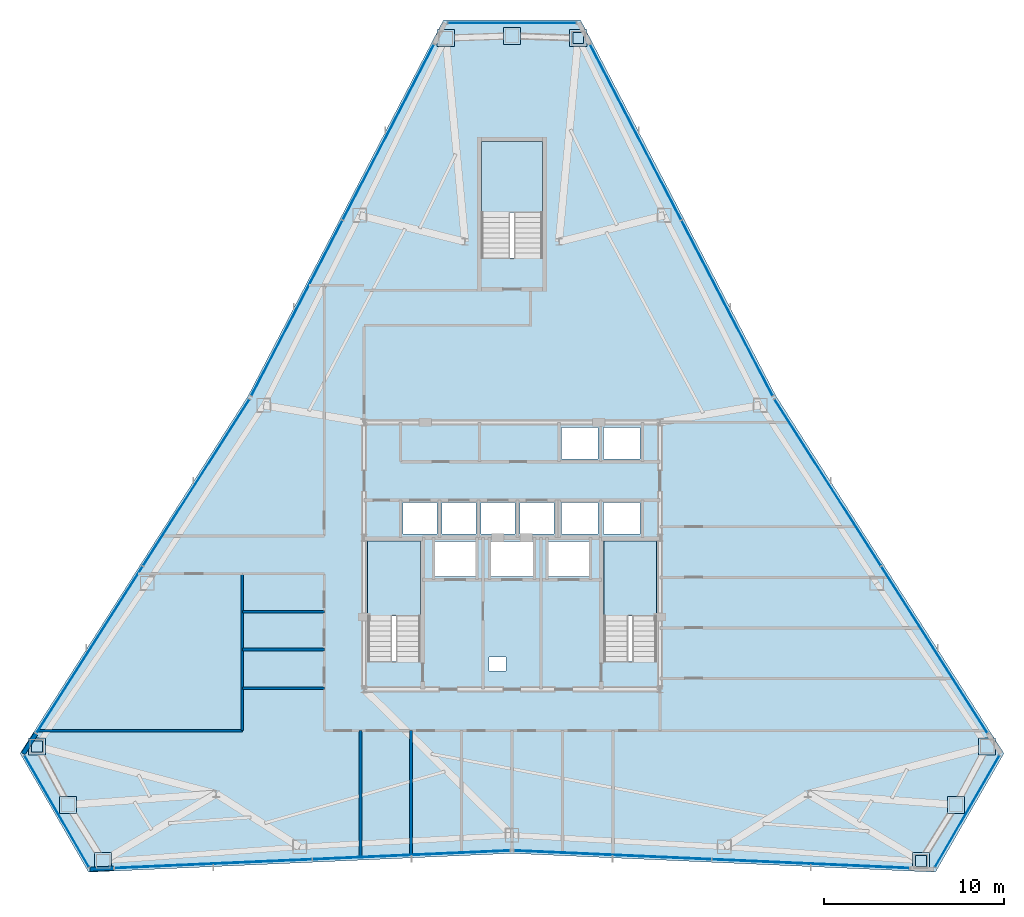
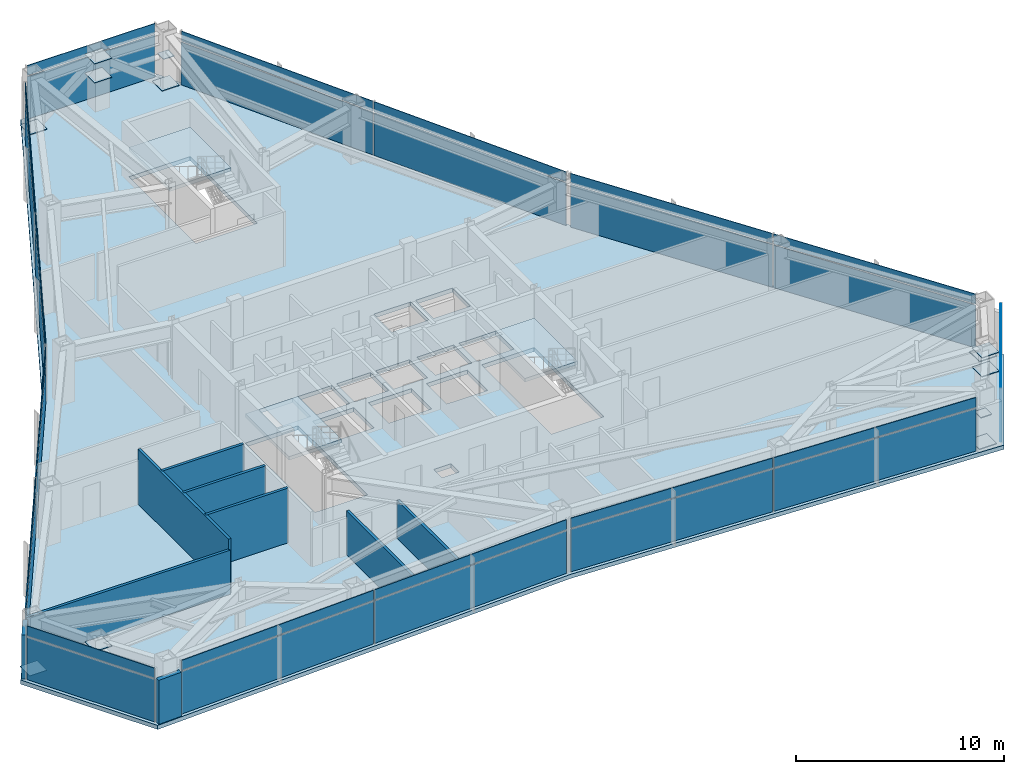
# One storey, part 9 of 13: 45 plates, 9 walls, 4 slabs, 12 elements without a shape of their own.
"""IFC4 building model written with IfcOpenShell, lengths in metres."""

from ifc_helpers import new_model, si_unit, direction, frame, frame_2d, origin, origin_2d, place, context, subcontext, project, spatial, polyline, rectangle, outline, extrude, source, transform, mapped, material, layer, layer_set, type_object, type_shapes, element, aggregate, save


model = new_model("IFC4")

# Units and contexts
model_context = context("Model", 3, precision=1e-05, world=origin(), true_north=direction((0.0, 1.0)))
body_context = subcontext(model_context, "Body", "Model", "MODEL_VIEW")
ifc_project = project(units=[si_unit("LENGTHUNIT", "METRE"), si_unit("AREAUNIT", "SQUARE_METRE"), si_unit("VOLUMEUNIT", "CUBIC_METRE"), si_unit("PLANEANGLEUNIT", "RADIAN"), si_unit("MASSUNIT", "GRAM", prefix="KILO")], contexts=[model_context])

# Site, building, storey
site_placement = place(None, origin())
site = spatial("IfcSite", under=ifc_project, at=site_placement, CompositionType="ELEMENT")
building_placement = place(site_placement, origin())
building = spatial("IfcBuilding", under=site, at=building_placement, Name="Varakhsha Concourse Tower", CompositionType="ELEMENT")
storey_placement = place(building_placement, frame((0.0, 0.0, 189.60009765625)))
storey = spatial("IfcBuildingStorey", under=building, at=storey_placement, Name="L54", CompositionType="ELEMENT", Elevation=189.60009765625)

# Slab
ifc_material_1 = material(Name="Concrete fc 45 MPa", Category="concrete")
ifc_layer_1 = layer(ifc_material_1, 0.239990234375, Name="SL-FLR-240")
ifc_layer_set_1 = layer_set([ifc_layer_1], Name="Concrete fc 45 MPa")
slab_type_1 = type_object("IfcSlabType", Name="SL-FLR-240", PredefinedType="FLOOR", material=ifc_layer_set_1)
slab_1_placement = place(storey_placement, frame((0.0, 0.0, -0.239990234375)))
element("IfcSlab", 1, at=slab_1_placement, inside=storey, type_object=slab_type_1, Name="L54 Composite Structural Slab", PredefinedType="FLOOR", context=body_context, shape_type="SweptSolid", body=[
    extrude(outline(polyline([(43.800048828125, 53.498291015625), (36.199951171875, 53.498291015625), (25.364501953125, 32.649658203125), (12.72705078125, 12.841796875), (16.527099609375, 6.260009765625), (40.0, 7.300537109375), (63.472900390625, 6.260009765625), (67.27294921875, 12.841796875), (54.635498046875, 32.649658203125), (43.800048828125, 53.498291015625)]), holes=[polyline([(34.919921875, 17.93994140625), (34.919921875, 24.6298828125), (32.0, 24.6298828125), (32.0, 17.93994140625), (34.919921875, 17.93994140625)]), polyline([(48.02001953125, 17.93994140625), (48.02001953125, 24.6298828125), (45.10009765625, 24.6298828125), (45.10009765625, 17.93994140625), (48.02001953125, 17.93994140625)]), polyline([(41.699951171875, 40.300048828125), (41.699951171875, 46.75), (38.300048828125, 46.75), (38.300048828125, 40.300048828125), (41.699951171875, 40.300048828125)]), polyline([(33.9599609375, 25.0), (35.840087890625, 25.0), (35.840087890625, 26.739990234375), (33.9599609375, 26.739990234375), (33.9599609375, 25.0)]), polyline([(36.1201171875, 25.0), (38.0, 25.0), (38.0, 26.739990234375), (36.1201171875, 26.739990234375), (36.1201171875, 25.0)]), polyline([(38.280029296875, 25.0), (40.159912109375, 25.0), (40.159912109375, 26.739990234375), (38.280029296875, 26.739990234375), (38.280029296875, 25.0)]), polyline([(40.43994140625, 25.0), (42.320068359375, 25.0), (42.320068359375, 26.739990234375), (40.43994140625, 26.739990234375), (40.43994140625, 25.0)]), polyline([(42.739990234375, 29.159912109375), (44.780029296875, 29.159912109375), (44.780029296875, 30.89990234375), (42.739990234375, 30.89990234375), (42.739990234375, 29.159912109375)]), polyline([(45.06005859375, 29.159912109375), (47.10009765625, 29.159912109375), (47.10009765625, 30.89990234375), (45.06005859375, 30.89990234375), (45.06005859375, 29.159912109375)]), polyline([(42.739990234375, 25.0), (44.780029296875, 25.0), (44.780029296875, 26.739990234375), (42.739990234375, 26.739990234375), (42.739990234375, 25.0)]), polyline([(45.06005859375, 25.0), (47.10009765625, 25.0), (47.10009765625, 26.739990234375), (45.06005859375, 26.739990234375), (45.06005859375, 25.0)]), polyline([(35.7099609375, 22.639892578125), (37.989990234375, 22.639892578125), (37.989990234375, 24.60009765625), (35.7099609375, 24.60009765625), (35.7099609375, 22.639892578125)]), polyline([(42.010009765625, 22.639892578125), (44.2900390625, 22.639892578125), (44.2900390625, 24.60009765625), (42.010009765625, 24.60009765625), (42.010009765625, 22.639892578125)]), polyline([(38.81005859375, 22.639892578125), (41.18994140625, 22.639892578125), (41.18994140625, 24.60009765625), (38.81005859375, 24.60009765625), (38.81005859375, 22.639892578125)]), polyline([(38.719970703125, 17.39990234375), (39.679931640625, 17.39990234375), (39.679931640625, 18.199951171875), (38.719970703125, 18.199951171875), (38.719970703125, 17.39990234375)])]), origin(), (0.0, 0.0, 1.0), 0.239990234375),
])

# Stair, slab
stair_type_1 = type_object("IfcStairType", Name="ST-DOGLEG-1360", PredefinedType="HALF_TURN_STAIR", material=ifc_material_1)
stair_1_placement = place(storey_placement, origin())
stair_1 = element("IfcStair", 2, at=stair_1_placement, inside=storey, type_object=stair_type_1, Name="L54 Protected Exit Stair ST1", PredefinedType="HALF_TURN_STAIR")
ifc_layer_2 = layer(ifc_material_1, 0.199951171875, Name="SL-LAND-200")
ifc_layer_set_2 = layer_set([ifc_layer_2], Name="Concrete fc 45 MPa")
slab_type_2 = type_object("IfcSlabType", Name="SL-LAND-200", PredefinedType="LANDING", material=ifc_layer_set_2)
slab_2_placement = place(storey_placement, frame((0.0, 0.0, 1.52490234375)))
slab_2 = element("IfcSlab", 3, at=slab_2_placement, type_object=slab_type_2, Name="ST1 landing 1", PredefinedType="LANDING", context=body_context, shape_type="SweptSolid", body=[
    extrude(outline(polyline([(34.919921875, 20.4599609375), (34.919921875, 24.6298828125), (32.0, 24.6298828125), (32.0, 20.4599609375), (34.919921875, 20.4599609375)])), origin(), (0.0, 0.0, 1.0), 0.199951171875),
])
aggregate(stair_1, [slab_2])

stair_2_placement = place(storey_placement, origin())
stair_2 = element("IfcStair", 4, at=stair_2_placement, inside=storey, type_object=stair_type_1, Name="L54 Protected Exit Stair ST2", PredefinedType="HALF_TURN_STAIR")
slab_3_placement = place(storey_placement, frame((0.0, 0.0, 1.52490234375)))
slab_3 = element("IfcSlab", 5, at=slab_3_placement, type_object=slab_type_2, Name="ST2 landing 1", PredefinedType="LANDING", context=body_context, shape_type="SweptSolid", body=[
    extrude(outline(polyline([(48.02001953125, 20.4599609375), (48.02001953125, 24.6298828125), (45.10009765625, 24.6298828125), (45.10009765625, 20.4599609375), (48.02001953125, 20.4599609375)])), origin(), (0.0, 0.0, 1.0), 0.199951171875),
])
aggregate(stair_2, [slab_3])

stair_type_2 = type_object("IfcStairType", Name="ST-DOGLEG-1600", PredefinedType="HALF_TURN_STAIR", material=ifc_material_1)
stair_3_placement = place(storey_placement, origin())
stair_3 = element("IfcStair", 6, at=stair_3_placement, inside=storey, type_object=stair_type_2, Name="L54 Protected Exit Stair ST5", PredefinedType="HALF_TURN_STAIR")
slab_4_placement = place(storey_placement, frame((0.0, 0.0, 1.52490234375)))
slab_4 = element("IfcSlab", 7, at=slab_4_placement, type_object=slab_type_2, Name="ST5 landing 1", PredefinedType="LANDING", context=body_context, shape_type="SweptSolid", body=[
    extrude(outline(polyline([(41.699951171875, 42.820068359375), (41.699951171875, 46.75), (38.300048828125, 46.75), (38.300048828125, 42.820068359375), (41.699951171875, 42.820068359375)])), origin(), (0.0, 0.0, 1.0), 0.199951171875),
])
aggregate(stair_3, [slab_4])

# Plates
ifc_material_2 = material(Name="Structural Steel ASTM A572 Grade 50", Category="steel")
ifc_layer_3 = layer(ifc_material_2, 0.030029296875, Name="PL-ENDCAP-950")
ifc_layer_set_3 = layer_set([ifc_layer_3], Name="Structural Steel ASTM A572 Grade 50")
plate_type_1 = type_object("IfcPlateType", Name="PL-ENDCAP-950", PredefinedType="USERDEFINED", material=ifc_layer_set_3)
shared_shape_1 = source(origin(), body_context, "Body", "SweptSolid", [
    extrude(rectangle(XDim=0.949951171875, YDim=0.949951171875, at=origin_2d()), origin(), (0.0, 0.0, 1.0), 0.030029296875),
])
type_shapes(plate_type_1, [shared_shape_1])
for number, where, z_axis, x_axis, name in (
    (8, (43.669921875, 52.49462890625, 0.10498046875), (0.0, 0.0, 1.0), (1.0, 0.0, 0.0), "Hollow Section End Cap GP-NODE-L54-0553"),
    (9, (40.0, 52.6181640625, 2.89501953125), (0.0, 0.0, 1.0), (1.0, 0.0, 0.0), "Hollow Section End Cap GP-NODE-L54-0554"),
    (10, (36.330078125, 52.49462890625, 0.10498046875), (0.0, 0.0, 1.0), (1.0, 0.0, 0.0), "Hollow Section End Cap GP-NODE-L54-0555"),
    (11, (13.6611328125, 13.23095703125, 0.10498046875), (0.0, 0.0, 1.0), (1.0, 0.0, 0.0), "Hollow Section End Cap GP-NODE-L54-0556"),
    (12, (15.38916015625, 9.990966796875, 2.89501953125), (0.0, 0.0, 1.0), (1.0, 0.0, 0.0), "Hollow Section End Cap GP-NODE-L54-0557"),
    (13, (17.3310546875, 6.87451171875, 0.10498046875), (0.0, 0.0, 1.0), (1.0, 0.0, 0.0), "Hollow Section End Cap GP-NODE-L54-0558"),
    (14, (62.6689453125, 6.87451171875, 0.10498046875), (0.0, 0.0, 1.0), (1.0, 0.0, 0.0), "Hollow Section End Cap GP-NODE-L54-0559"),
    (15, (64.61083984375, 9.990966796875, 2.89501953125), (0.0, 0.0, 1.0), (1.0, 0.0, 0.0), "Hollow Section End Cap GP-NODE-L54-0560"),
    (16, (66.3388671875, 13.23095703125, 0.10498046875), (0.0, 0.0, 1.0), (1.0, 0.0, 0.0), "Hollow Section End Cap GP-NODE-L54-0561"),
    (17, (40.0, 52.6181640625, 1.78466796875), (0.0, 0.0, 1.0), (1.0, 0.0, 0.0), "Hollow Section End Cap GP-NODE-L54-0562"),
    (18, (15.38916015625, 9.990966796875, 1.78466796875), (0.0, 0.0, 1.0), (1.0, 0.0, 0.0), "Hollow Section End Cap GP-NODE-L54-0563"),
    (19, (64.61083984375, 9.990966796875, 1.78466796875), (0.0, 0.0, 1.0), (1.0, 0.0, 0.0), "Hollow Section End Cap GP-NODE-L54-0564"),
):
    element("IfcPlate", number, at=place(storey_placement, frame(where, z_axis=z_axis, x_axis=x_axis)), inside=storey, type_object=plate_type_1, Name=name, ObjectType="END PLATE", PredefinedType="USERDEFINED", context=body_context, shape_type="MappedRepresentation", body=[
        mapped(shared_shape_1, transform((0.0, 0.0, 0.0), scale=1.0)),
    ])
ifc_layer_4 = layer(ifc_material_2, 0.030029296875, Name="PL-BASE-600")
ifc_layer_set_4 = layer_set([ifc_layer_4], Name="Structural Steel ASTM A572 Grade 50")
plate_type_2 = type_object("IfcPlateType", Name="PL-BASE-600", PredefinedType="SHEET", material=ifc_layer_set_4)
shared_shape_2 = source(origin(), body_context, "Body", "SweptSolid", [
    extrude(rectangle(XDim=0.60009765625, YDim=0.60009765625, at=origin_2d()), origin(), (0.0, 0.0, 1.0), 0.030029296875),
])
type_shapes(plate_type_2, [shared_shape_2])
for number, where, z_axis, x_axis, name in (
    (20, (43.669921875, 52.49462890625, 1.78466796875), (0.0, 0.0, 1.0), (1.0, 0.0, 0.0), "Hollow Section End Cap BP-WTIE-L54-1"),
    (21, (13.6611328125, 13.23095703125, 1.78466796875), (0.0, 0.0, 1.0), (1.0, 0.0, 0.0), "Hollow Section End Cap BP-WTIE-L54-2"),
    (22, (62.6689453125, 6.87451171875, 1.78466796875), (0.0, 0.0, 1.0), (1.0, 0.0, 0.0), "Hollow Section End Cap BP-WTIE-L54-3"),
):
    element("IfcPlate", number, at=place(storey_placement, frame(where, z_axis=z_axis, x_axis=x_axis)), inside=storey, type_object=plate_type_2, Name=name, PredefinedType="SHEET", context=body_context, shape_type="MappedRepresentation", body=[
        mapped(shared_shape_2, transform((0.0, 0.0, 0.0), scale=1.0)),
    ])

# Curtain wall, plates
ifc_material_3 = material(Name="Anodised Bronze Architectural Aluminium AA 6063-T6", Category="aluminium")
ifc_layer_5 = layer(ifc_material_3, 0.2099609375, Name="CW-SYS-04")
ifc_layer_set_5 = layer_set([ifc_layer_5], Name="Anodised Bronze Architectural Aluminium AA 6063-T6")
curtain_wall_type = type_object("IfcCurtainWallType", Name="CW-SYS-04", PredefinedType="NOTDEFINED", material=ifc_layer_set_5)
curtain_wall_1_placement = place(storey_placement, origin())
curtain_wall_1 = element("IfcCurtainWall", 23, at=curtain_wall_1_placement, inside=storey, type_object=curtain_wall_type, Name="L54 Crystal Curtain Wall F2", PredefinedType="NOTDEFINED")
ifc_material_4 = material(Name="Low-E Triple Insulating Glass IGU 44 mm", Category="glass")
ifc_layer_6 = layer(ifc_material_4, 0.0439453125, Name="CWP-IGU-44")
ifc_layer_set_6 = layer_set([ifc_layer_6], Name="Low-E Triple Insulating Glass IGU 44 mm")
plate_type_3 = type_object("IfcPlateType", Name="CWP-IGU-44", PredefinedType="CURTAIN_PANEL", material=ifc_layer_set_6)
shared_shape_3 = source(origin(), body_context, "Body", "SweptSolid", [
    extrude(rectangle(XDim=10.928955078125, YDim=0.0439453125, at=origin_2d()), origin(), (0.0, 0.0, 1.0), 2.49609375),
])
plate_1_placement = place(storey_placement, frame((28.079345703125, 37.5263671875, 0.03173828125), z_axis=(0.0, 0.0, 1.0), x_axis=(0.461155577875, 0.887319295967, 0.0)))
plate_1 = element("IfcPlate", 24, at=plate_1_placement, type_object=plate_type_3, Name="CW-L54-F2 Panel 00-00", PredefinedType="CURTAIN_PANEL", context=body_context, shape_type="MappedRepresentation", body=[
    mapped(shared_shape_3, transform((0.0, 0.0, 0.0), scale=1.0)),
])
plate_2_placement = place(storey_placement, frame((33.151123046875, 47.284912109375, 0.03173828125), z_axis=(0.0, 0.0, 1.0), x_axis=(0.461155577875, 0.887319295967, 0.0)))
plate_2 = element("IfcPlate", 25, at=plate_2_placement, type_object=plate_type_3, Name="CW-L54-F2 Panel 01-00", PredefinedType="CURTAIN_PANEL", context=body_context, shape_type="MappedRepresentation", body=[
    mapped(shared_shape_3, transform((0.0, 0.0, 0.0), scale=1.0)),
])

# Curtain wall, plate
curtain_wall_2_placement = place(storey_placement, origin())
curtain_wall_2 = element("IfcCurtainWall", 26, at=curtain_wall_2_placement, inside=storey, type_object=curtain_wall_type, Name="L54 Crystal Curtain Wall F3", PredefinedType="NOTDEFINED")
plate_3_placement = place(storey_placement, frame((16.583251953125, 18.588623046875, 0.03173828125), z_axis=(0.0, 0.0, 1.0), x_axis=(0.537863262638, 0.84303209352, 0.0)))
plate_3 = element("IfcPlate", 27, at=plate_3_placement, type_object=plate_type_3, Name="CW-L54-F3 Panel 00-00", PredefinedType="CURTAIN_PANEL", context=body_context, shape_type="MappedRepresentation", body=[
    mapped(shared_shape_3, transform((0.0, 0.0, 0.0), scale=1.0)),
])

curtain_wall_3_placement = place(storey_placement, origin())
curtain_wall_3 = element("IfcCurtainWall", 28, at=curtain_wall_3_placement, inside=storey, type_object=curtain_wall_type, Name="L54 Crystal Curtain Wall F5", PredefinedType="NOTDEFINED")
plate_4_placement = place(storey_placement, frame((34.41943359375, 7.21337890625, 0.03173828125), z_axis=(0.0, 0.0, 1.0), x_axis=(-0.999018917807, -0.04428545883, 0.0)))
plate_4 = element("IfcPlate", 29, at=plate_4_placement, type_object=plate_type_3, Name="CW-L54-F5 Panel 00-00", PredefinedType="CURTAIN_PANEL", context=body_context, shape_type="MappedRepresentation", body=[
    mapped(shared_shape_3, transform((0.0, 0.0, 0.0), scale=1.0)),
])

curtain_wall_4_placement = place(storey_placement, origin())
curtain_wall_4 = element("IfcCurtainWall", 30, at=curtain_wall_4_placement, inside=storey, type_object=curtain_wall_type, Name="L54 Crystal Curtain Wall F6", PredefinedType="NOTDEFINED")
plate_5_placement = place(storey_placement, frame((56.56787109375, 6.726318359375, 0.03173828125), z_axis=(0.0, 0.0, 1.0), x_axis=(-0.999018917807, 0.04428545883, 0.0)))
plate_5 = element("IfcPlate", 31, at=plate_5_placement, type_object=plate_type_3, Name="CW-L54-F6 Panel 00-00", PredefinedType="CURTAIN_PANEL", context=body_context, shape_type="MappedRepresentation", body=[
    mapped(shared_shape_3, transform((0.0, 0.0, 0.0), scale=1.0)),
])

curtain_wall_5_placement = place(storey_placement, origin())
curtain_wall_5 = element("IfcCurtainWall", 32, at=curtain_wall_5_placement, inside=storey, type_object=curtain_wall_type, Name="L54 Crystal Curtain Wall F8", PredefinedType="NOTDEFINED")
plate_6_placement = place(storey_placement, frame((57.501220703125, 27.8603515625, 0.03173828125), z_axis=(0.0, 0.0, 1.0), x_axis=(0.537863262638, -0.84303209352, 0.0)))
plate_6 = element("IfcPlate", 33, at=plate_6_placement, type_object=plate_type_3, Name="CW-L54-F8 Panel 00-00", PredefinedType="CURTAIN_PANEL", context=body_context, shape_type="MappedRepresentation", body=[
    mapped(shared_shape_3, transform((0.0, 0.0, 0.0), scale=1.0)),
])

# Curtain wall, plates
curtain_wall_6_placement = place(storey_placement, origin())
curtain_wall_6 = element("IfcCurtainWall", 34, at=curtain_wall_6_placement, inside=storey, type_object=curtain_wall_type, Name="L54 Crystal Curtain Wall F9", PredefinedType="NOTDEFINED")
plate_7_placement = place(storey_placement, frame((46.848876953125, 47.284912109375, 0.03173828125), z_axis=(0.0, 0.0, 1.0), x_axis=(0.461155577875, -0.887319295967, 0.0)))
plate_7 = element("IfcPlate", 35, at=plate_7_placement, type_object=plate_type_3, Name="CW-L54-F9 Panel 00-00", PredefinedType="CURTAIN_PANEL", context=body_context, shape_type="MappedRepresentation", body=[
    mapped(shared_shape_3, transform((0.0, 0.0, 0.0), scale=1.0)),
])
plate_8_placement = place(storey_placement, frame((51.920654296875, 37.5263671875, 0.03173828125), z_axis=(0.0, 0.0, 1.0), x_axis=(0.461155577875, -0.887319295967, 0.0)))
plate_8 = element("IfcPlate", 36, at=plate_8_placement, type_object=plate_type_3, Name="CW-L54-F9 Panel 01-00", PredefinedType="CURTAIN_PANEL", context=body_context, shape_type="MappedRepresentation", body=[
    mapped(shared_shape_3, transform((0.0, 0.0, 0.0), scale=1.0)),
])

# Plate
ifc_material_5 = material(Name="Insulated Anodised Bronze Aluminium Spandrel 36 mm", Category="aluminium")
ifc_layer_7 = layer(ifc_material_5, 0.035888671875, Name="CWP-SPN-36")
ifc_layer_set_7 = layer_set([ifc_layer_7], Name="Insulated Anodised Bronze Aluminium Spandrel 36 mm")
plate_type_4 = type_object("IfcPlateType", Name="CWP-SPN-36", PredefinedType="USERDEFINED", material=ifc_layer_set_7)
shared_shape_4 = source(origin(), body_context, "Body", "SweptSolid", [
    extrude(rectangle(XDim=10.928955078125, YDim=0.035888671875, at=origin_2d()), origin(), (0.0, 0.0, 1.0), 0.5859375),
])
plate_9_placement = place(storey_placement, frame((28.079345703125, 37.5263671875, 2.592041015625), z_axis=(0.0, 0.0, 1.0), x_axis=(0.461155577875, 0.887319295967, 0.0)))
plate_9 = element("IfcPlate", 37, at=plate_9_placement, type_object=plate_type_4, Name="CW-L54-F2 Panel 00-01", ObjectType="SPANDREL", PredefinedType="USERDEFINED", context=body_context, shape_type="MappedRepresentation", body=[
    mapped(shared_shape_4, transform((0.0, 0.0, 0.0), scale=1.0)),
])

plate_10_placement = place(storey_placement, frame((33.151123046875, 47.284912109375, 2.592041015625), z_axis=(0.0, 0.0, 1.0), x_axis=(0.461155577875, 0.887319295967, 0.0)))
plate_10 = element("IfcPlate", 38, at=plate_10_placement, type_object=plate_type_4, Name="CW-L54-F2 Panel 01-01", ObjectType="SPANDREL", PredefinedType="USERDEFINED", context=body_context, shape_type="MappedRepresentation", body=[
    mapped(shared_shape_4, transform((0.0, 0.0, 0.0), scale=1.0)),
])

aggregate(curtain_wall_1, [plate_1, plate_9, plate_2, plate_10])

plate_11_placement = place(storey_placement, frame((16.583251953125, 18.588623046875, 2.592041015625), z_axis=(0.0, 0.0, 1.0), x_axis=(0.537863262638, 0.84303209352, 0.0)))
plate_11 = element("IfcPlate", 39, at=plate_11_placement, type_object=plate_type_4, Name="CW-L54-F3 Panel 00-01", ObjectType="SPANDREL", PredefinedType="USERDEFINED", context=body_context, shape_type="MappedRepresentation", body=[
    mapped(shared_shape_4, transform((0.0, 0.0, 0.0), scale=1.0)),
])

plate_12_placement = place(storey_placement, frame((34.41943359375, 7.21337890625, 2.592041015625), z_axis=(0.0, 0.0, 1.0), x_axis=(-0.999018917807, -0.04428545883, 0.0)))
plate_12 = element("IfcPlate", 40, at=plate_12_placement, type_object=plate_type_4, Name="CW-L54-F5 Panel 00-01", ObjectType="SPANDREL", PredefinedType="USERDEFINED", context=body_context, shape_type="MappedRepresentation", body=[
    mapped(shared_shape_4, transform((0.0, 0.0, 0.0), scale=1.0)),
])

plate_13_placement = place(storey_placement, frame((56.56787109375, 6.726318359375, 2.592041015625), z_axis=(0.0, 0.0, 1.0), x_axis=(-0.999018917807, 0.04428545883, 0.0)))
plate_13 = element("IfcPlate", 41, at=plate_13_placement, type_object=plate_type_4, Name="CW-L54-F6 Panel 00-01", ObjectType="SPANDREL", PredefinedType="USERDEFINED", context=body_context, shape_type="MappedRepresentation", body=[
    mapped(shared_shape_4, transform((0.0, 0.0, 0.0), scale=1.0)),
])

plate_14_placement = place(storey_placement, frame((57.501220703125, 27.8603515625, 2.592041015625), z_axis=(0.0, 0.0, 1.0), x_axis=(0.537863262638, -0.84303209352, 0.0)))
plate_14 = element("IfcPlate", 42, at=plate_14_placement, type_object=plate_type_4, Name="CW-L54-F8 Panel 00-01", ObjectType="SPANDREL", PredefinedType="USERDEFINED", context=body_context, shape_type="MappedRepresentation", body=[
    mapped(shared_shape_4, transform((0.0, 0.0, 0.0), scale=1.0)),
])

plate_15_placement = place(storey_placement, frame((46.848876953125, 47.284912109375, 2.592041015625), z_axis=(0.0, 0.0, 1.0), x_axis=(0.461155577875, -0.887319295967, 0.0)))
plate_15 = element("IfcPlate", 43, at=plate_15_placement, type_object=plate_type_4, Name="CW-L54-F9 Panel 00-01", ObjectType="SPANDREL", PredefinedType="USERDEFINED", context=body_context, shape_type="MappedRepresentation", body=[
    mapped(shared_shape_4, transform((0.0, 0.0, 0.0), scale=1.0)),
])

plate_16_placement = place(storey_placement, frame((51.920654296875, 37.5263671875, 2.592041015625), z_axis=(0.0, 0.0, 1.0), x_axis=(0.461155577875, -0.887319295967, 0.0)))
plate_16 = element("IfcPlate", 44, at=plate_16_placement, type_object=plate_type_4, Name="CW-L54-F9 Panel 01-01", ObjectType="SPANDREL", PredefinedType="USERDEFINED", context=body_context, shape_type="MappedRepresentation", body=[
    mapped(shared_shape_4, transform((0.0, 0.0, 0.0), scale=1.0)),
])

aggregate(curtain_wall_6, [plate_7, plate_15, plate_8, plate_16])

shared_shape_5 = source(origin(), body_context, "Body", "SweptSolid", [
    extrude(rectangle(XDim=10.92919921875, YDim=0.0439453125, at=origin_2d()), origin(), (0.0, 0.0, 1.0), 2.49609375),
])
type_shapes(plate_type_3, [shared_shape_3, shared_shape_5])
plate_17_placement = place(storey_placement, frame((22.498779296875, 27.8603515625, 0.03173828125), z_axis=(0.0, 0.0, 1.0), x_axis=(0.537863262638, 0.84303209352, 0.0)))
plate_17 = element("IfcPlate", 45, at=plate_17_placement, type_object=plate_type_3, Name="CW-L54-F3 Panel 01-00", PredefinedType="CURTAIN_PANEL", context=body_context, shape_type="MappedRepresentation", body=[
    mapped(shared_shape_5, transform((0.0, 0.0, 0.0), scale=1.0)),
])

plate_18_placement = place(storey_placement, frame((23.43212890625, 6.726318359375, 0.03173828125), z_axis=(0.0, 0.0, 1.0), x_axis=(-0.999018917807, -0.04428545883, 0.0)))
plate_18 = element("IfcPlate", 46, at=plate_18_placement, type_object=plate_type_3, Name="CW-L54-F5 Panel 01-00", PredefinedType="CURTAIN_PANEL", context=body_context, shape_type="MappedRepresentation", body=[
    mapped(shared_shape_5, transform((0.0, 0.0, 0.0), scale=1.0)),
])

plate_19_placement = place(storey_placement, frame((45.58056640625, 7.21337890625, 0.03173828125), z_axis=(0.0, 0.0, 1.0), x_axis=(-0.999018917807, 0.04428545883, 0.0)))
plate_19 = element("IfcPlate", 47, at=plate_19_placement, type_object=plate_type_3, Name="CW-L54-F6 Panel 01-00", PredefinedType="CURTAIN_PANEL", context=body_context, shape_type="MappedRepresentation", body=[
    mapped(shared_shape_5, transform((0.0, 0.0, 0.0), scale=1.0)),
])

plate_20_placement = place(storey_placement, frame((63.416748046875, 18.588623046875, 0.03173828125), z_axis=(0.0, 0.0, 1.0), x_axis=(0.537863262638, -0.84303209352, 0.0)))
plate_20 = element("IfcPlate", 48, at=plate_20_placement, type_object=plate_type_3, Name="CW-L54-F8 Panel 01-00", PredefinedType="CURTAIN_PANEL", context=body_context, shape_type="MappedRepresentation", body=[
    mapped(shared_shape_5, transform((0.0, 0.0, 0.0), scale=1.0)),
])

shared_shape_6 = source(origin(), body_context, "Body", "SweptSolid", [
    extrude(rectangle(XDim=10.92919921875, YDim=0.035888671875, at=origin_2d()), origin(), (0.0, 0.0, 1.0), 0.5859375),
])
plate_21_placement = place(storey_placement, frame((22.498779296875, 27.8603515625, 2.592041015625), z_axis=(0.0, 0.0, 1.0), x_axis=(0.537863262638, 0.84303209352, 0.0)))
plate_21 = element("IfcPlate", 49, at=plate_21_placement, type_object=plate_type_4, Name="CW-L54-F3 Panel 01-01", ObjectType="SPANDREL", PredefinedType="USERDEFINED", context=body_context, shape_type="MappedRepresentation", body=[
    mapped(shared_shape_6, transform((0.0, 0.0, 0.0), scale=1.0)),
])

aggregate(curtain_wall_2, [plate_3, plate_11, plate_17, plate_21])

plate_22_placement = place(storey_placement, frame((23.43212890625, 6.726318359375, 2.592041015625), z_axis=(0.0, 0.0, 1.0), x_axis=(-0.999018917807, -0.04428545883, 0.0)))
plate_22 = element("IfcPlate", 50, at=plate_22_placement, type_object=plate_type_4, Name="CW-L54-F5 Panel 01-01", ObjectType="SPANDREL", PredefinedType="USERDEFINED", context=body_context, shape_type="MappedRepresentation", body=[
    mapped(shared_shape_6, transform((0.0, 0.0, 0.0), scale=1.0)),
])

aggregate(curtain_wall_3, [plate_4, plate_12, plate_18, plate_22])

plate_23_placement = place(storey_placement, frame((45.58056640625, 7.21337890625, 2.592041015625), z_axis=(0.0, 0.0, 1.0), x_axis=(-0.999018917807, 0.04428545883, 0.0)))
plate_23 = element("IfcPlate", 51, at=plate_23_placement, type_object=plate_type_4, Name="CW-L54-F6 Panel 01-01", ObjectType="SPANDREL", PredefinedType="USERDEFINED", context=body_context, shape_type="MappedRepresentation", body=[
    mapped(shared_shape_6, transform((0.0, 0.0, 0.0), scale=1.0)),
])

aggregate(curtain_wall_4, [plate_5, plate_13, plate_19, plate_23])

plate_24_placement = place(storey_placement, frame((63.416748046875, 18.588623046875, 2.592041015625), z_axis=(0.0, 0.0, 1.0), x_axis=(0.537863262638, -0.84303209352, 0.0)))
plate_24 = element("IfcPlate", 52, at=plate_24_placement, type_object=plate_type_4, Name="CW-L54-F8 Panel 01-01", ObjectType="SPANDREL", PredefinedType="USERDEFINED", context=body_context, shape_type="MappedRepresentation", body=[
    mapped(shared_shape_6, transform((0.0, 0.0, 0.0), scale=1.0)),
])

aggregate(curtain_wall_5, [plate_6, plate_14, plate_20, plate_24])

# Curtain wall, plate
curtain_wall_7_placement = place(storey_placement, origin())
curtain_wall_7 = element("IfcCurtainWall", 53, at=curtain_wall_7_placement, inside=storey, type_object=curtain_wall_type, Name="L54 Chamfer Curtain Wall F1", PredefinedType="NOTDEFINED")
shared_shape_7 = source(origin(), body_context, "Body", "SweptSolid", [
    extrude(rectangle(XDim=7.091064453125, YDim=0.035888671875, at=origin_2d()), origin(), (0.0, 0.0, 1.0), 2.49609375),
])
plate_25_placement = place(storey_placement, frame((40.0, 53.338134765625, 0.03173828125), z_axis=(0.0, 0.0, 1.0), x_axis=(1.0, 0.0, 0.0)))
plate_25 = element("IfcPlate", 54, at=plate_25_placement, type_object=plate_type_4, Name="CW-L54-F1 Panel 00-00", ObjectType="SPANDREL", PredefinedType="USERDEFINED", context=body_context, shape_type="MappedRepresentation", body=[
    mapped(shared_shape_7, transform((0.0, 0.0, 0.0), scale=1.0)),
])

curtain_wall_8_placement = place(storey_placement, origin())
curtain_wall_8 = element("IfcCurtainWall", 55, at=curtain_wall_8_placement, inside=storey, type_object=curtain_wall_type, Name="L54 Chamfer Curtain Wall F4", PredefinedType="NOTDEFINED")
plate_26_placement = place(storey_placement, frame((14.765625, 9.630859375, 0.03173828125), z_axis=(0.0, 0.0, 1.0), x_axis=(-0.499996976998, 0.866027149108, 0.0)))
plate_26 = element("IfcPlate", 56, at=plate_26_placement, type_object=plate_type_4, Name="CW-L54-F4 Panel 00-00", ObjectType="SPANDREL", PredefinedType="USERDEFINED", context=body_context, shape_type="MappedRepresentation", body=[
    mapped(shared_shape_7, transform((0.0, 0.0, 0.0), scale=1.0)),
])

curtain_wall_9_placement = place(storey_placement, origin())
curtain_wall_9 = element("IfcCurtainWall", 57, at=curtain_wall_9_placement, inside=storey, type_object=curtain_wall_type, Name="L54 Chamfer Curtain Wall F7", PredefinedType="NOTDEFINED")
plate_27_placement = place(storey_placement, frame((65.234375, 9.630859375, 0.03173828125), z_axis=(0.0, 0.0, 1.0), x_axis=(-0.499996976998, -0.866027149108, 0.0)))
plate_27 = element("IfcPlate", 58, at=plate_27_placement, type_object=plate_type_4, Name="CW-L54-F7 Panel 00-00", ObjectType="SPANDREL", PredefinedType="USERDEFINED", context=body_context, shape_type="MappedRepresentation", body=[
    mapped(shared_shape_7, transform((0.0, 0.0, 0.0), scale=1.0)),
])

# Plate
shared_shape_8 = source(origin(), body_context, "Body", "SweptSolid", [
    extrude(rectangle(XDim=7.091064453125, YDim=0.035888671875, at=origin_2d()), origin(), (0.0, 0.0, 1.0), 0.5859375),
])
type_shapes(plate_type_4, [shared_shape_4, shared_shape_6, shared_shape_7, shared_shape_8])
plate_28_placement = place(storey_placement, frame((40.0, 53.338134765625, 2.592041015625), z_axis=(0.0, 0.0, 1.0), x_axis=(1.0, 0.0, 0.0)))
plate_28 = element("IfcPlate", 59, at=plate_28_placement, type_object=plate_type_4, Name="CW-L54-F1 Panel 00-01", ObjectType="SPANDREL", PredefinedType="USERDEFINED", context=body_context, shape_type="MappedRepresentation", body=[
    mapped(shared_shape_8, transform((0.0, 0.0, 0.0), scale=1.0)),
])

aggregate(curtain_wall_7, [plate_25, plate_28])

plate_29_placement = place(storey_placement, frame((14.765625, 9.630859375, 2.592041015625), z_axis=(0.0, 0.0, 1.0), x_axis=(-0.499996976998, 0.866027149108, 0.0)))
plate_29 = element("IfcPlate", 60, at=plate_29_placement, type_object=plate_type_4, Name="CW-L54-F4 Panel 00-01", ObjectType="SPANDREL", PredefinedType="USERDEFINED", context=body_context, shape_type="MappedRepresentation", body=[
    mapped(shared_shape_8, transform((0.0, 0.0, 0.0), scale=1.0)),
])

aggregate(curtain_wall_8, [plate_26, plate_29])

plate_30_placement = place(storey_placement, frame((65.234375, 9.630859375, 2.592041015625), z_axis=(0.0, 0.0, 1.0), x_axis=(-0.499996976998, -0.866027149108, 0.0)))
plate_30 = element("IfcPlate", 61, at=plate_30_placement, type_object=plate_type_4, Name="CW-L54-F7 Panel 00-01", ObjectType="SPANDREL", PredefinedType="USERDEFINED", context=body_context, shape_type="MappedRepresentation", body=[
    mapped(shared_shape_8, transform((0.0, 0.0, 0.0), scale=1.0)),
])

aggregate(curtain_wall_9, [plate_27, plate_30])

# Walls
ifc_layer_8 = layer(ifc_material_1, 0.239990234375, Name="WL-EXT-CRN-240")
ifc_layer_set_8 = layer_set([ifc_layer_8], Name="Concrete fc 45 MPa")
wall_type_1 = type_object("IfcWallType", Name="WL-EXT-CRN-240", PredefinedType="SHEAR", material=ifc_layer_set_8)
for number, where, z_axis, x_axis, name in (
    (62, (13.608154296875, 13.92529296875, 0.0), (0.0, 0.0, 1.0), (-0.537970071256, -0.842963938987, 0.0), "L54 Wind-Corner Shoulder Wall F3"),
    (63, (16.60888671875, 6.423828125, 0.0), (0.0, 0.0, 1.0), (0.999023236483, 0.044187927832, 0.0), "L54 Wind-Corner Shoulder Wall F5"),
):
    element("IfcWall", number, at=place(storey_placement, frame(where, z_axis=z_axis, x_axis=x_axis)), inside=storey, type_object=wall_type_1, Name=name, PredefinedType="SHEAR", context=body_context, shape_type="SweptSolid", body=[
        extrude(rectangle(XDim=1.29833984375, YDim=0.239990234375, at=frame_2d((0.649169921875, 0.0))), origin(), (0.0, 0.0, 1.0), 2.5830078125),
    ])
ifc_material_6 = material(Name="Fire-Rated Type X Gypsum Partition Assembly", Category="gypsum")
ifc_layer_9 = layer(ifc_material_6, 0.14990234375, Name="WL-PART-150")
ifc_layer_set_9 = layer_set([ifc_layer_9], Name="Fire-Rated Type X Gypsum Partition Assembly")
wall_type_2 = type_object("IfcWallType", Name="WL-PART-150", PredefinedType="PARTITIONING", material=ifc_layer_set_9)
wall_1_placement = place(storey_placement, frame((25.050048828125, 14.10009765625, 0.0), z_axis=(0.0, 0.0, 1.0), x_axis=(0.0, 1.0, 0.0)))
element("IfcWall", 64, at=wall_1_placement, inside=storey, type_object=wall_type_2, Name="L54 Wall C2WC-W-L54", PredefinedType="PARTITIONING", context=body_context, shape_type="SweptSolid", body=[
    extrude(rectangle(XDim=8.699951171875, YDim=0.14990234375, at=frame_2d((4.35009765625, 0.0))), origin(), (0.0, 0.0, 1.0), 3.2099609375),
])
for number, where, z_axis, x_axis, name in (
    (65, (25.050048828125, 16.449951171875, 0.0), (0.0, 0.0, 1.0), (1.0, 0.0, 0.0), "L54 Wall C2WC-S-L54"),
    (66, (25.050048828125, 18.60009765625, 0.0), (0.0, 0.0, 1.0), (1.0, 0.0, 0.0), "L54 Wall C2WC-D1-L54"),
    (67, (25.050048828125, 20.699951171875, 0.0), (0.0, 0.0, 1.0), (1.0, 0.0, 0.0), "L54 Wall C2WC-D2-L54"),
):
    element("IfcWall", number, at=place(storey_placement, frame(where, z_axis=z_axis, x_axis=x_axis)), inside=storey, type_object=wall_type_2, Name=name, PredefinedType="PARTITIONING", context=body_context, shape_type="SweptSolid", body=[
        extrude(rectangle(XDim=4.550048828125, YDim=0.14990234375, at=frame_2d((2.27490234375, 0.0))), origin(), (0.0, 0.0, 1.0), 3.2099609375),
    ])
wall_2_placement = place(storey_placement, frame((31.60009765625, 7.09326171875, 0.0), z_axis=(0.0, 0.0, 1.0), x_axis=(0.0, 1.0, 0.0)))
element("IfcWall", 68, at=wall_2_placement, inside=storey, type_object=wall_type_2, Name="L54 Wall ODIV-S1-L54", PredefinedType="PARTITIONING", context=body_context, shape_type="SweptSolid", body=[
    extrude(rectangle(XDim=7.0068359375, YDim=0.14990234375, at=frame_2d((3.50341796875, 0.0))), origin(), (0.0, 0.0, 1.0), 2.5888671875),
])
wall_3_placement = place(storey_placement, frame((34.39990234375, 7.21728515625, 0.0), z_axis=(0.0, 0.0, 1.0), x_axis=(0.0, 1.0, 0.0)))
element("IfcWall", 69, at=wall_3_placement, inside=storey, type_object=wall_type_2, Name="L54 Wall ODIV-S2-L54", PredefinedType="PARTITIONING", context=body_context, shape_type="SweptSolid", body=[
    extrude(rectangle(XDim=6.8828125, YDim=0.14990234375, at=frame_2d((3.44140625, 0.0))), origin(), (0.0, 0.0, 1.0), 2.224853515625),
])
wall_4_placement = place(storey_placement, frame((13.7255859375, 14.10009765625, 0.0), z_axis=(0.0, 0.0, 1.0), x_axis=(1.0, 0.0, 0.0)))
element("IfcWall", 70, at=wall_4_placement, inside=storey, type_object=wall_type_2, Name="L54 Wall ODIV-SWB-L54", PredefinedType="PARTITIONING", context=body_context, shape_type="SweptSolid", body=[
    extrude(rectangle(XDim=11.324462890625, YDim=0.14990234375, at=frame_2d((5.662109375, 0.0))), origin(), (0.0, 0.0, 1.0), 2.5888671875),
])

save(model, "model.ifc")
